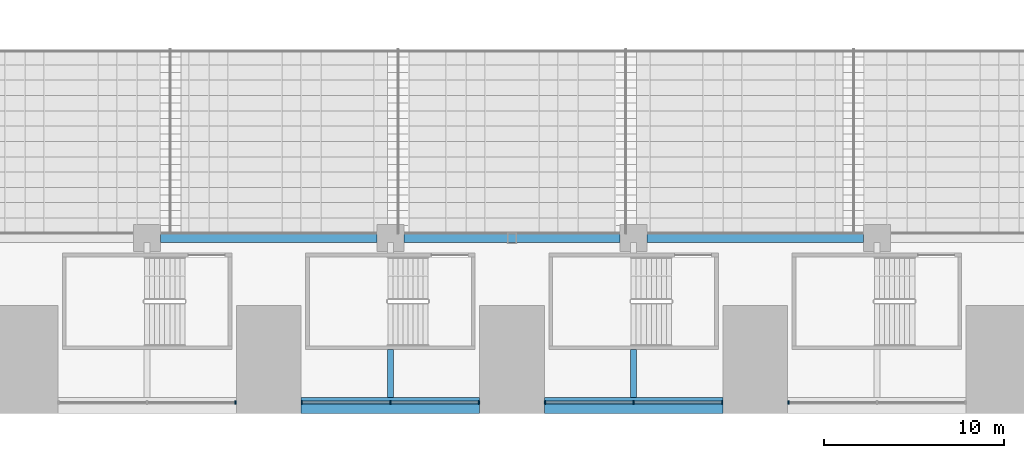
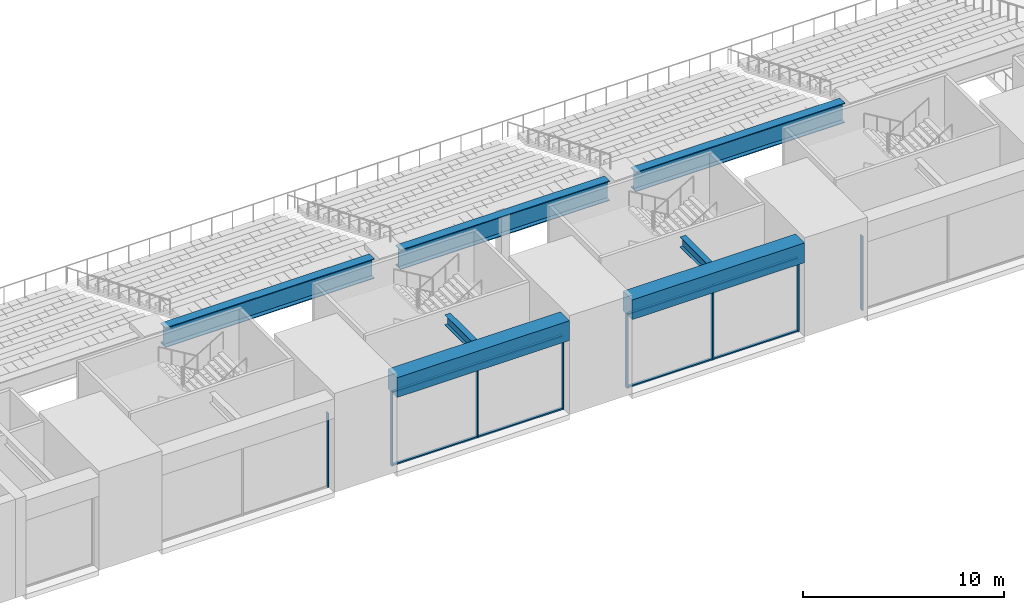
# One storey, part 6 of 61: 16 members, 7 beams, 4 elements without a shape of their own.
"""IFC4 building model written with IfcOpenShell, lengths in metres."""

from ifc_helpers import new_model, si_unit, direction, frame, origin, origin_2d, place, context, subcontext, project, spatial, rectangle, i_section, extrude, material, layer, layer_set, material_profile, profile_set, type_object, element, aggregate, save


model = new_model("IFC4")

# Units and contexts
model_context = context("Model", 3, precision=1e-05, world=origin(), true_north=direction((0.0, 1.0)))
body_context = subcontext(model_context, "Body", "Model", "MODEL_VIEW")
ifc_project = project(units=[si_unit("LENGTHUNIT", "METRE"), si_unit("AREAUNIT", "SQUARE_METRE"), si_unit("VOLUMEUNIT", "CUBIC_METRE"), si_unit("PLANEANGLEUNIT", "RADIAN"), si_unit("MASSUNIT", "GRAM", prefix="KILO")], contexts=[model_context])

# Site, building, storey
site_placement = place(None, origin())
site = spatial("IfcSite", under=ifc_project, at=site_placement, CompositionType="ELEMENT")
building_placement = place(site_placement, origin())
building = spatial("IfcBuilding", under=site, at=building_placement, Name="Corbelhall Arena Tower", CompositionType="ELEMENT")
storey_placement = place(building_placement, frame((0.0, 0.0, 31.0)))
storey = spatial("IfcBuildingStorey", under=building, at=storey_placement, Name="L04", CompositionType="ELEMENT", Elevation=31.0)

# Curtain wall, member
ifc_material_1 = material(Name="Aluminium black anodised", Category="aluminium")
ifc_layer = layer(ifc_material_1, 0.239990234375)
ifc_layer_set = layer_set([ifc_layer], Name="EV-CW4 Arena concourse glazing")
curtain_wall_type = type_object("IfcCurtainWallType", Name="EV-CW4 Arena concourse glazing", PredefinedType="NOTDEFINED", material=ifc_layer_set)
curtain_wall_1_placement = place(storey_placement, origin())
curtain_wall_1 = element("IfcCurtainWall", 1, at=curtain_wall_1_placement, inside=storey, type_object=curtain_wall_type, Name="Curtain wall CW4", PredefinedType="NOTDEFINED")
ifc_material_profile_1 = material_profile(ifc_material_1, rectangle(XDim=0.199951171875, YDim=0.074951171875, at=origin_2d()))
ifc_profile_set_1 = profile_set([ifc_material_profile_1], Name="Aluminium black anodised")
member_type_1 = type_object("IfcMemberType", Name="EV-CW4-MULLION", PredefinedType="MULLION", material=ifc_profile_set_1)
member_1_placement = place(storey_placement, frame((-15.33740234375, -38.3798828125, 0.0), z_axis=(0.0, 0.0, 1.0), x_axis=(0.0, 1.0, 0.0)))
member_1 = element("IfcMember", 2, at=member_1_placement, type_object=member_type_1, Name="CW4 mullion 3", PredefinedType="MULLION", context=body_context, shape_type="SweptSolid", body=[
    extrude(rectangle(XDim=0.199951171875, YDim=0.074951171875, at=origin_2d()), origin(), (0.0, 0.0, 1.0), 4.5),
])
aggregate(curtain_wall_1, [member_1])

# Curtain wall, members
curtain_wall_2_placement = place(storey_placement, origin())
curtain_wall_2 = element("IfcCurtainWall", 3, at=curtain_wall_2_placement, inside=storey, type_object=curtain_wall_type, Name="Curtain wall CW4", PredefinedType="NOTDEFINED")
member_2_placement = place(storey_placement, frame((-11.66259765625, -38.3798828125, 0.0), z_axis=(0.0, 0.0, 1.0), x_axis=(0.0, 1.0, 0.0)))
member_2 = element("IfcMember", 4, at=member_2_placement, type_object=member_type_1, Name="CW4 mullion 1", PredefinedType="MULLION", context=body_context, shape_type="SweptSolid", body=[
    extrude(rectangle(XDim=0.199951171875, YDim=0.074951171875, at=origin_2d()), origin(), (0.0, 0.0, 1.0), 4.5),
])
member_3_placement = place(storey_placement, frame((-6.75, -38.3798828125, 0.0), z_axis=(0.0, 0.0, 1.0), x_axis=(0.0, 1.0, 0.0)))
member_3 = element("IfcMember", 5, at=member_3_placement, type_object=member_type_1, Name="CW4 mullion 2", PredefinedType="MULLION", context=body_context, shape_type="SweptSolid", body=[
    extrude(rectangle(XDim=0.199951171875, YDim=0.074951171875, at=origin_2d()), origin(), (0.0, 0.0, 1.0), 4.5),
])
member_4_placement = place(storey_placement, frame((-1.83740234375, -38.3798828125, 0.0), z_axis=(0.0, 0.0, 1.0), x_axis=(0.0, 1.0, 0.0)))
member_4 = element("IfcMember", 6, at=member_4_placement, type_object=member_type_1, Name="CW4 mullion 3", PredefinedType="MULLION", context=body_context, shape_type="SweptSolid", body=[
    extrude(rectangle(XDim=0.199951171875, YDim=0.074951171875, at=origin_2d()), origin(), (0.0, 0.0, 1.0), 4.5),
])

curtain_wall_3_placement = place(storey_placement, origin())
curtain_wall_3 = element("IfcCurtainWall", 7, at=curtain_wall_3_placement, inside=storey, type_object=curtain_wall_type, Name="Curtain wall CW4", PredefinedType="NOTDEFINED")
member_5_placement = place(storey_placement, frame((1.83740234375, -38.3798828125, 0.0), z_axis=(0.0, 0.0, 1.0), x_axis=(0.0, 1.0, 0.0)))
member_5 = element("IfcMember", 8, at=member_5_placement, type_object=member_type_1, Name="CW4 mullion 1", PredefinedType="MULLION", context=body_context, shape_type="SweptSolid", body=[
    extrude(rectangle(XDim=0.199951171875, YDim=0.074951171875, at=origin_2d()), origin(), (0.0, 0.0, 1.0), 4.5),
])
member_6_placement = place(storey_placement, frame((6.75, -38.3798828125, 0.0), z_axis=(0.0, 0.0, 1.0), x_axis=(0.0, 1.0, 0.0)))
member_6 = element("IfcMember", 9, at=member_6_placement, type_object=member_type_1, Name="CW4 mullion 2", PredefinedType="MULLION", context=body_context, shape_type="SweptSolid", body=[
    extrude(rectangle(XDim=0.199951171875, YDim=0.074951171875, at=origin_2d()), origin(), (0.0, 0.0, 1.0), 4.5),
])
member_7_placement = place(storey_placement, frame((11.66259765625, -38.3798828125, 0.0), z_axis=(0.0, 0.0, 1.0), x_axis=(0.0, 1.0, 0.0)))
member_7 = element("IfcMember", 10, at=member_7_placement, type_object=member_type_1, Name="CW4 mullion 3", PredefinedType="MULLION", context=body_context, shape_type="SweptSolid", body=[
    extrude(rectangle(XDim=0.199951171875, YDim=0.074951171875, at=origin_2d()), origin(), (0.0, 0.0, 1.0), 4.5),
])

# Curtain wall, member
curtain_wall_4_placement = place(storey_placement, origin())
curtain_wall_4 = element("IfcCurtainWall", 11, at=curtain_wall_4_placement, inside=storey, type_object=curtain_wall_type, Name="Curtain wall CW4", PredefinedType="NOTDEFINED")
member_8_placement = place(storey_placement, frame((15.33740234375, -38.3798828125, 0.0), z_axis=(0.0, 0.0, 1.0), x_axis=(0.0, 1.0, 0.0)))
member_8 = element("IfcMember", 12, at=member_8_placement, type_object=member_type_1, Name="CW4 mullion 1", PredefinedType="MULLION", context=body_context, shape_type="SweptSolid", body=[
    extrude(rectangle(XDim=0.199951171875, YDim=0.074951171875, at=origin_2d()), origin(), (0.0, 0.0, 1.0), 4.5),
])
aggregate(curtain_wall_4, [member_8])

# Member
ifc_material_profile_2 = material_profile(ifc_material_1, rectangle(XDim=0.14990234375, YDim=0.074951171875, at=origin_2d()))
ifc_profile_set_2 = profile_set([ifc_material_profile_2], Name="Aluminium black anodised")
member_type_2 = type_object("IfcMemberType", Name="EV-CW4-TRANSOM", PredefinedType="USERDEFINED", material=ifc_profile_set_2)
member_9_placement = place(storey_placement, frame((-11.625, -38.3798828125, 0.03759765625), z_axis=(1.0, 0.0, 0.0), x_axis=(0.0, 1.0, 0.0)))
member_9 = element("IfcMember", 13, at=member_9_placement, type_object=member_type_2, Name="CW4 transom 1.1", ObjectType="transom", PredefinedType="USERDEFINED", context=body_context, shape_type="SweptSolid", body=[
    extrude(rectangle(XDim=0.14990234375, YDim=0.074951171875, at=origin_2d()), origin(), (0.0, 0.0, 1.0), 4.83740234375),
])

member_10_placement = place(storey_placement, frame((-11.625, -38.3798828125, 4.46240234375), z_axis=(1.0, 0.0, 0.0), x_axis=(0.0, 1.0, 0.0)))
member_10 = element("IfcMember", 14, at=member_10_placement, type_object=member_type_2, Name="CW4 transom 1.2", ObjectType="transom", PredefinedType="USERDEFINED", context=body_context, shape_type="SweptSolid", body=[
    extrude(rectangle(XDim=0.14990234375, YDim=0.074951171875, at=origin_2d()), origin(), (0.0, 0.0, 1.0), 4.83740234375),
])

member_11_placement = place(storey_placement, frame((-6.71240234375, -38.3798828125, 0.03759765625), z_axis=(1.0, 0.0, 0.0), x_axis=(0.0, 1.0, 0.0)))
member_11 = element("IfcMember", 15, at=member_11_placement, type_object=member_type_2, Name="CW4 transom 2.1", ObjectType="transom", PredefinedType="USERDEFINED", context=body_context, shape_type="SweptSolid", body=[
    extrude(rectangle(XDim=0.14990234375, YDim=0.074951171875, at=origin_2d()), origin(), (0.0, 0.0, 1.0), 4.83740234375),
])

member_12_placement = place(storey_placement, frame((-6.71240234375, -38.3798828125, 4.46240234375), z_axis=(1.0, 0.0, 0.0), x_axis=(0.0, 1.0, 0.0)))
member_12 = element("IfcMember", 16, at=member_12_placement, type_object=member_type_2, Name="CW4 transom 2.2", ObjectType="transom", PredefinedType="USERDEFINED", context=body_context, shape_type="SweptSolid", body=[
    extrude(rectangle(XDim=0.14990234375, YDim=0.074951171875, at=origin_2d()), origin(), (0.0, 0.0, 1.0), 4.83740234375),
])

aggregate(curtain_wall_2, [member_2, member_3, member_4, member_9, member_10, member_11, member_12])

member_13_placement = place(storey_placement, frame((1.875, -38.3798828125, 0.03759765625), z_axis=(1.0, 0.0, 0.0), x_axis=(0.0, 1.0, 0.0)))
member_13 = element("IfcMember", 17, at=member_13_placement, type_object=member_type_2, Name="CW4 transom 1.1", ObjectType="transom", PredefinedType="USERDEFINED", context=body_context, shape_type="SweptSolid", body=[
    extrude(rectangle(XDim=0.14990234375, YDim=0.074951171875, at=origin_2d()), origin(), (0.0, 0.0, 1.0), 4.83740234375),
])

member_14_placement = place(storey_placement, frame((1.875, -38.3798828125, 4.46240234375), z_axis=(1.0, 0.0, 0.0), x_axis=(0.0, 1.0, 0.0)))
member_14 = element("IfcMember", 18, at=member_14_placement, type_object=member_type_2, Name="CW4 transom 1.2", ObjectType="transom", PredefinedType="USERDEFINED", context=body_context, shape_type="SweptSolid", body=[
    extrude(rectangle(XDim=0.14990234375, YDim=0.074951171875, at=origin_2d()), origin(), (0.0, 0.0, 1.0), 4.83740234375),
])

member_15_placement = place(storey_placement, frame((6.78759765625, -38.3798828125, 0.03759765625), z_axis=(1.0, 0.0, 0.0), x_axis=(0.0, 1.0, 0.0)))
member_15 = element("IfcMember", 19, at=member_15_placement, type_object=member_type_2, Name="CW4 transom 2.1", ObjectType="transom", PredefinedType="USERDEFINED", context=body_context, shape_type="SweptSolid", body=[
    extrude(rectangle(XDim=0.14990234375, YDim=0.074951171875, at=origin_2d()), origin(), (0.0, 0.0, 1.0), 4.83740234375),
])

member_16_placement = place(storey_placement, frame((6.78759765625, -38.3798828125, 4.46240234375), z_axis=(1.0, 0.0, 0.0), x_axis=(0.0, 1.0, 0.0)))
member_16 = element("IfcMember", 20, at=member_16_placement, type_object=member_type_2, Name="CW4 transom 2.2", ObjectType="transom", PredefinedType="USERDEFINED", context=body_context, shape_type="SweptSolid", body=[
    extrude(rectangle(XDim=0.14990234375, YDim=0.074951171875, at=origin_2d()), origin(), (0.0, 0.0, 1.0), 4.83740234375),
])

aggregate(curtain_wall_3, [member_5, member_6, member_7, member_13, member_14, member_15, member_16])

# Beams
ifc_material_2 = material(Name="Steel ASTM A992 Gr50", Category="steel")
ifc_material_profile_3 = material_profile(ifc_material_2, i_section(OverallWidth=0.323974609375, OverallDepth=0.611083984375, WebThickness=0.0126953125, FlangeThickness=0.01904296875, at=origin_2d()))
ifc_profile_set_3 = profile_set([ifc_material_profile_3], Name="Steel ASTM A992 Gr50")
beam_type_1 = type_object("IfcBeamType", Name="PO-BEAM-W24X104", PredefinedType="BEAM", material=ifc_profile_set_3)
for number, where, z_axis, x_axis, name in (
    (21, (-6.75, -35.449951171875, 5.39453125), (0.0, -1.0, 0.0), (1.0, 0.0, 0.0), "CONCOURSE BEAM"),
    (22, (6.75, -35.449951171875, 5.39453125), (0.0, -1.0, 0.0), (1.0, 0.0, 0.0), "CONCOURSE BEAM"),
):
    element("IfcBeam", number, at=place(storey_placement, frame(where, z_axis=z_axis, x_axis=x_axis)), inside=storey, type_object=beam_type_1, Name=name, PredefinedType="BEAM", context=body_context, shape_type="SweptSolid", body=[
        extrude(i_section(OverallWidth=0.323974609375, OverallDepth=0.611083984375, WebThickness=0.0126953125, FlangeThickness=0.01904296875, at=origin_2d()), origin(), (0.0, 0.0, 1.0), 2.650146484375),
    ])
ifc_material_3 = material(Name="Steel ASTM A572 Gr50", Category="steel")
ifc_material_profile_4 = material_profile(ifc_material_3, i_section(OverallWidth=0.5, OverallDepth=1.199951171875, WebThickness=0.02490234375, FlangeThickness=0.044921875, at=origin_2d()))
ifc_profile_set_4 = profile_set([ifc_material_profile_4], Name="Steel ASTM A572 Gr50")
beam_type_2 = type_object("IfcBeamType", Name="PO-GIRDER-PG1200X500X25X45", PredefinedType="BEAM", material=ifc_profile_set_4)
for number, where, z_axis, x_axis, name in (
    (23, (-19.5, -29.25, 5.10009765625), (1.0, 0.0, 0.0), (0.0, 1.0, 0.0), "RING GIRDER"),
    (24, (-6.0, -29.25, 5.10009765625), (1.0, 0.0, 0.0), (0.0, 1.0, 0.0), "RING GIRDER"),
    (25, (7.5, -29.25, 5.10009765625), (1.0, 0.0, 0.0), (0.0, 1.0, 0.0), "RING GIRDER"),
):
    element("IfcBeam", number, at=place(storey_placement, frame(where, z_axis=z_axis, x_axis=x_axis)), inside=storey, type_object=beam_type_2, Name=name, PredefinedType="BEAM", context=body_context, shape_type="SweptSolid", body=[
        extrude(i_section(OverallWidth=0.5, OverallDepth=1.199951171875, WebThickness=0.02490234375, FlangeThickness=0.044921875, at=origin_2d()), origin(), (0.0, 0.0, 1.0), 12.0),
    ])
ifc_material_4 = material(Name="Concrete C80/95", Category="concrete")
ifc_material_profile_5 = material_profile(ifc_material_4, rectangle(XDim=0.89990234375, YDim=1.199951171875, at=origin_2d()))
ifc_profile_set_5 = profile_set([ifc_material_profile_5], Name="Concrete C80/95")
beam_type_3 = type_object("IfcBeamType", Name="PO-RING-BEAM", PredefinedType="BEAM", material=ifc_profile_set_5)
for number, where, z_axis, x_axis, name in (
    (26, (-11.699951171875, -38.550048828125, 5.10009765625), (1.0, 0.0, 0.0), (0.0, 1.0, 0.0), "RING GIRDER L05 S3"),
    (27, (1.800048828125, -38.550048828125, 5.10009765625), (1.0, 0.0, 0.0), (0.0, 1.0, 0.0), "RING GIRDER L05 S4"),
):
    element("IfcBeam", number, at=place(storey_placement, frame(where, z_axis=z_axis, x_axis=x_axis)), inside=storey, type_object=beam_type_3, Name=name, PredefinedType="BEAM", context=body_context, shape_type="SweptSolid", body=[
        extrude(rectangle(XDim=0.89990234375, YDim=1.199951171875, at=origin_2d()), origin(), (0.0, 0.0, 1.0), 9.89990234375),
    ])

save(model, "model.ifc")
